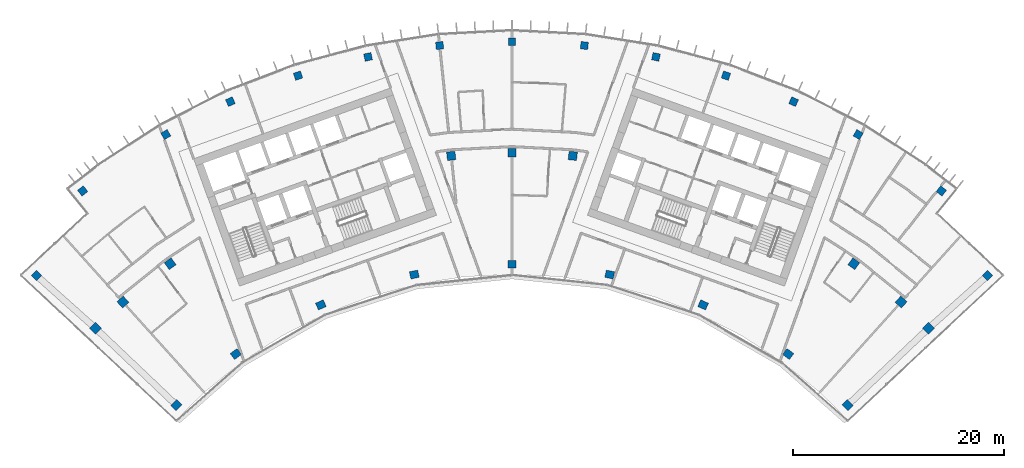
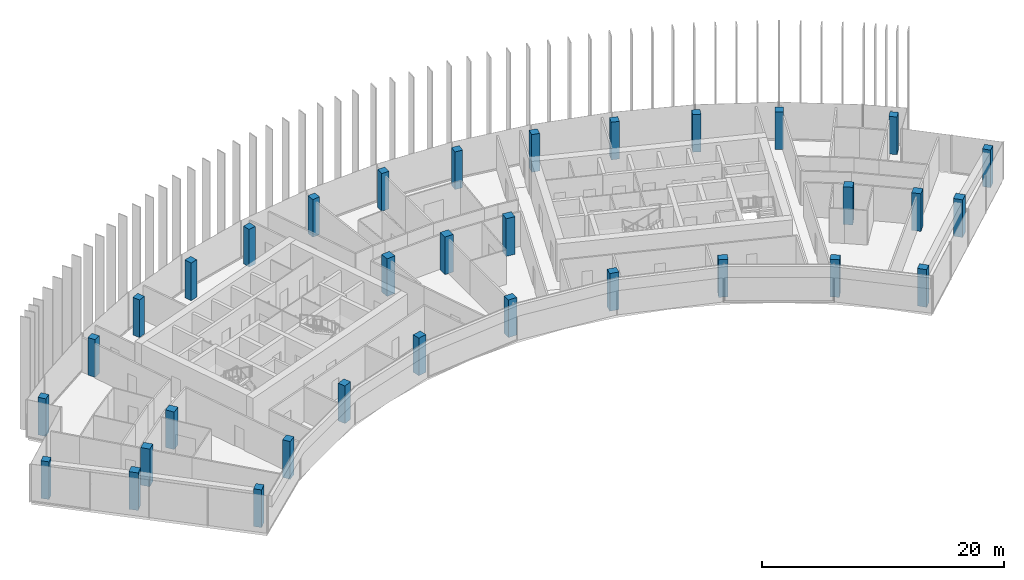
# One storey, part 1 of 19: 33 columns.
"""IFC4 building model written with IfcOpenShell, lengths in metres."""

from ifc_helpers import new_model, si_unit, direction, frame, origin, origin_2d, place, context, subcontext, project, spatial, rectangle, extrude, material, material_profile, profile_set, type_object, element, save


model = new_model("IFC4")

# Units and contexts
model_context = context("Model", 3, precision=1e-05, world=origin(), true_north=direction((0.0, 1.0)))
body_context = subcontext(model_context, "Body", "Model", "MODEL_VIEW")
ifc_project = project(units=[si_unit("LENGTHUNIT", "METRE"), si_unit("AREAUNIT", "SQUARE_METRE"), si_unit("VOLUMEUNIT", "CUBIC_METRE"), si_unit("PLANEANGLEUNIT", "RADIAN"), si_unit("MASSUNIT", "GRAM", prefix="KILO")], contexts=[model_context])

# Site, building, storey
site_placement = place(None, origin())
site = spatial("IfcSite", under=ifc_project, at=site_placement, CompositionType="ELEMENT")
building_placement = place(site_placement, origin())
building = spatial("IfcBuilding", under=site, at=building_placement, Name="Stone Belt Terrace Tower", CompositionType="ELEMENT")
storey_placement = place(building_placement, frame((0.0, 0.0, 292.199951171875)))
storey = spatial("IfcBuildingStorey", under=building, at=storey_placement, Name="L71", CompositionType="ELEMENT", Elevation=292.199951171875)

# Columns
ifc_material = material(Name="Concrete B60", Category="concrete")
ifc_material_profile_1 = material_profile(ifc_material, rectangle(XDim=0.699951171875, YDim=0.699951171875, at=origin_2d()), Name="RC 700x700")
ifc_profile_set_1 = profile_set([ifc_material_profile_1], Name="Concrete B60")
column_type_1 = type_object("IfcColumnType", Name="Column RC 700x700 B60", PredefinedType="COLUMN", material=ifc_profile_set_1)
for number, where, z_axis, x_axis, name in (
    (1, (-44.97705078125, 43.381103515625, 0.0), (0.0, 0.0, 1.0), (0.694221333646, 0.719761585465, 0.0), "Column L71 RA"),
    (2, (44.97705078125, 43.381103515625, 0.0), (0.0, 0.0, 1.0), (0.694221333646, -0.719761585465, 0.0), "Column L71 RB"),
    (3, (-40.605712890625, 51.380615234375, 0.0), (0.0, 0.0, 1.0), (0.784569718703, 0.620040608746, 0.0), "Column L71 RNA"),
    (4, (-32.744384765625, 56.715087890625, 0.0), (0.0, 0.0, 1.0), (0.866025403784, 0.5, 0.0), "Column L71 R17"),
    (5, (-26.63671875, 59.8271484375, 0.0), (0.0, 0.0, 1.0), (0.913545457643, 0.406736643076, 0.0), "Column L71 R18"),
    (6, (-20.2373046875, 62.28369140625, 0.0), (0.0, 0.0, 1.0), (0.951056516295, 0.309016994375, 0.0), "Column L71 R19"),
    (7, (-13.615966796875, 64.057861328125, 0.0), (0.0, 0.0, 1.0), (0.978147600734, 0.207911690818, 0.0), "Column L71 R20"),
    (8, (-6.845458984375, 65.130126953125, 0.0), (0.0, 0.0, 1.0), (0.994521895368, 0.104528463268, 0.0), "Column L71 R21"),
    (9, (0.0, 65.489013671875, 0.0), (0.0, 0.0, 1.0), (1.0, 0.0, 0.0), "Column L71 R22"),
    (10, (6.845458984375, 65.130126953125, 0.0), (0.0, 0.0, 1.0), (0.994521895368, -0.104528463268, 0.0), "Column L71 R23"),
    (11, (13.615966796875, 64.057861328125, 0.0), (0.0, 0.0, 1.0), (0.978147600734, -0.207911690818, 0.0), "Column L71 R24"),
    (12, (20.2373046875, 62.28369140625, 0.0), (0.0, 0.0, 1.0), (0.951056516295, -0.309016994375, 0.0), "Column L71 R25"),
    (13, (26.63671875, 59.8271484375, 0.0), (0.0, 0.0, 1.0), (0.913545457643, -0.406736643076, 0.0), "Column L71 R26"),
    (14, (32.744384765625, 56.715087890625, 0.0), (0.0, 0.0, 1.0), (0.866025403784, -0.5, 0.0), "Column L71 R27"),
    (15, (40.605712890625, 51.380615234375, 0.0), (0.0, 0.0, 1.0), (0.784569718703, -0.620040608746, 0.0), "Column L71 RNB"),
):
    element("IfcColumn", number, at=place(storey_placement, frame(where, z_axis=z_axis, x_axis=x_axis)), inside=storey, type_object=column_type_1, Name=name, PredefinedType="COLUMN", context=body_context, shape_type="SweptSolid", body=[
        extrude(rectangle(XDim=0.699951171875, YDim=0.699951171875, at=origin_2d()), origin(), (0.0, 0.0, 1.0), 3.800048828125),
    ])
ifc_material_profile_2 = material_profile(ifc_material, rectangle(XDim=0.800048828125, YDim=0.699951171875, at=origin_2d()), Name="RC 800x700")
ifc_profile_set_2 = profile_set([ifc_material_profile_2], Name="Concrete B60")
column_type_2 = type_object("IfcColumnType", Name="Column RC 800x700 B60", PredefinedType="COLUMN", material=ifc_profile_set_2)
for number, where, z_axis, x_axis, name in (
    (16, (-31.73486328125, 31.11669921875, 0.0), (0.0, 0.0, 1.0), (0.700119596097, 0.714025595592, 0.0), "Column L71 PA"),
    (17, (-26.1240234375, 35.956787109375, 0.0), (0.0, 0.0, 1.0), (0.809016994375, 0.587785252292, 0.0), "Column L71 P16"),
    (18, (-18.077392578125, 40.6025390625, 0.0), (0.0, 0.0, 1.0), (0.913545457643, 0.406736643076, 0.0), "Column L71 P18"),
    (19, (-9.240478515625, 43.473876953125, 0.0), (0.0, 0.0, 1.0), (0.978147600734, 0.207911690818, 0.0), "Column L71 P20"),
    (20, (0.0, 44.445068359375, 0.0), (0.0, 0.0, 1.0), (1.0, 0.0, 0.0), "Column L71 P22"),
    (21, (9.240478515625, 43.473876953125, 0.0), (0.0, 0.0, 1.0), (0.978147600734, -0.207911690818, 0.0), "Column L71 P24"),
    (22, (18.077392578125, 40.6025390625, 0.0), (0.0, 0.0, 1.0), (0.913545457643, -0.406736643076, 0.0), "Column L71 P26"),
    (23, (26.1240234375, 35.956787109375, 0.0), (0.0, 0.0, 1.0), (0.809016994375, -0.587785252292, 0.0), "Column L71 P28"),
    (24, (31.73486328125, 31.11669921875, 0.0), (0.0, 0.0, 1.0), (0.700119596097, -0.714025595592, 0.0), "Column L71 PB"),
):
    element("IfcColumn", number, at=place(storey_placement, frame(where, z_axis=z_axis, x_axis=x_axis)), inside=storey, type_object=column_type_2, Name=name, PredefinedType="COLUMN", context=body_context, shape_type="SweptSolid", body=[
        extrude(rectangle(XDim=0.800048828125, YDim=0.699951171875, at=origin_2d()), origin(), (0.0, 0.0, 1.0), 3.800048828125),
    ])
ifc_material_profile_3 = material_profile(ifc_material, rectangle(XDim=0.800048828125, YDim=0.800048828125, at=origin_2d()), Name="RC 800x800")
ifc_profile_set_3 = profile_set([ifc_material_profile_3], Name="Concrete B60")
column_type_3 = type_object("IfcColumnType", Name="Column RC 800x800 B60", PredefinedType="COLUMN", material=ifc_profile_set_3)
for number, where, z_axis, x_axis, name in (
    (25, (-39.38818359375, 38.386962890625, 0.0), (0.0, 0.0, 1.0), (0.697944216238, 0.716152128406, 0.0), "Column L71 QA"),
    (26, (-36.80224609375, 40.873046875, 0.0), (0.0, 0.0, 1.0), (0.743144825477, 0.669130606359, 0.0), "Column L71 Q15"),
    (27, (-32.328125, 44.495849609375, 0.0), (0.0, 0.0, 1.0), (0.809016994375, 0.587785252292, 0.0), "Column L71 Q16"),
    (28, (-5.7490234375, 54.69873046875, 0.0), (0.0, 0.0, 1.0), (0.994521895368, 0.104528463268, 0.0), "Column L71 Q21"),
    (29, (0.0, 55.0, 0.0), (0.0, 0.0, 1.0), (1.0, 0.0, 0.0), "Column L71 Q22"),
    (30, (5.7490234375, 54.69873046875, 0.0), (0.0, 0.0, 1.0), (0.994521895368, -0.104528463268, 0.0), "Column L71 Q23"),
    (31, (32.328125, 44.495849609375, 0.0), (0.0, 0.0, 1.0), (0.809016994375, -0.587785252292, 0.0), "Column L71 Q28"),
    (32, (36.80224609375, 40.873046875, 0.0), (0.0, 0.0, 1.0), (0.743144825477, -0.669130606359, 0.0), "Column L71 Q29"),
    (33, (39.38818359375, 38.386962890625, 0.0), (0.0, 0.0, 1.0), (0.697944216238, -0.716152128406, 0.0), "Column L71 QB"),
):
    element("IfcColumn", number, at=place(storey_placement, frame(where, z_axis=z_axis, x_axis=x_axis)), inside=storey, type_object=column_type_3, Name=name, PredefinedType="COLUMN", context=body_context, shape_type="SweptSolid", body=[
        extrude(rectangle(XDim=0.800048828125, YDim=0.800048828125, at=origin_2d()), origin(), (0.0, 0.0, 1.0), 3.800048828125),
    ])

save(model, "model.ifc")
